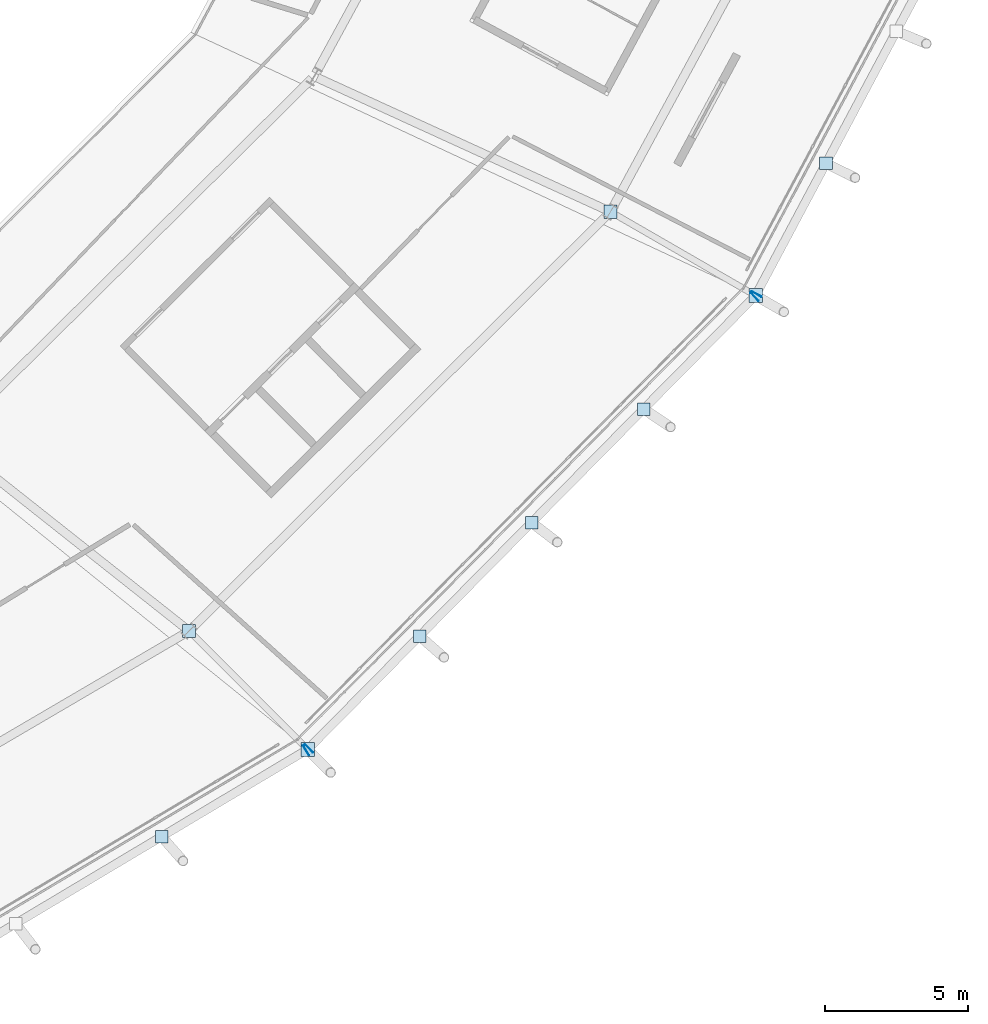
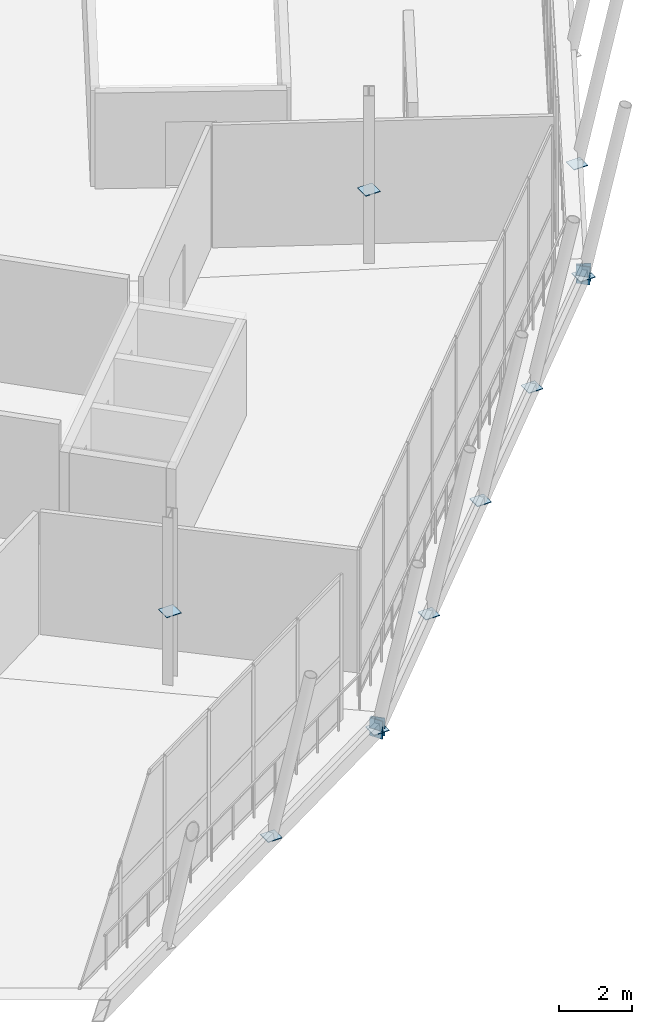
# One storey, part 71 of 99: 13 plates.
"""IFC4 building model written with IfcOpenShell, lengths in metres."""

import ifcopenshell
import ifcopenshell.guid

model = None  # the IFC model being written
_history = None  # IfcOwnerHistory: only IFC2X3 demands one
_inside = {}  # id of a spatial element -> (the spatial element, [elements in it])
_under = {}  # id of a project, library or spatial element -> (it, [spatial elements below it])
_declared = {}  # id of a project -> (the project, [libraries it declares])
_typed = {}  # id of a type object -> (the type object, [elements of that type])
_made_of = {}  # id of a material, layer set ... -> (it, [elements and type objects made of it])


def new_model(schema):
    """Start an empty IFC model of exactly this schema.

    Asked for "IFC4X3", IfcOpenShell would pick the latest addendum, in which some entities
    have other attributes; the version numbers below select the first issue.
    IFC2X3 requires an IfcOwnerHistory on every rooted entity: one is made here for all.
    """
    global model, _history
    if schema == "IFC4X3":
        model = ifcopenshell.file(schema_version=(4, 3, 0, 0))
    else:
        model = ifcopenshell.file(schema=schema)
    _inside.clear()
    _under.clear()
    _declared.clear()
    _typed.clear()
    _made_of.clear()
    _history = None
    if model.schema == "IFC2X3":
        org = make("IfcOrganization", Name="unknown")
        user = make(
            "IfcPersonAndOrganization",
            ThePerson=make("IfcPerson", FamilyName="unknown"),
            TheOrganization=org,
        )
        app = make(
            "IfcApplication",
            ApplicationDeveloper=org,
            Version="unknown",
            ApplicationFullName="unknown",
            ApplicationIdentifier="unknown",
        )
        _history = make(
            "IfcOwnerHistory",
            OwningUser=user,
            OwningApplication=app,
            ChangeAction="ADDED",
            CreationDate=0,
        )
    return model


def make(cls, **values):
    """One entity of the class cls with the attributes given. An attribute that is None is left unset."""
    return model.create_entity(
        cls, **{name: value for name, value in values.items() if value is not None}
    )


def rooted(cls, **values):
    """An entity with a GlobalId (a new one), such as an element, a storey or a relation."""
    return make(cls, GlobalId=ifcopenshell.guid.new(), OwnerHistory=_history, **values)


def si_unit(unit_type, name, prefix=None):
    """IfcSIUnit, for example si_unit("LENGTHUNIT", "METRE", prefix="MILLI")."""
    return make("IfcSIUnit", UnitType=unit_type, Prefix=prefix, Name=name)


def assignment(units):
    """IfcUnitAssignment: the units of a project."""
    return None if units is None else make("IfcUnitAssignment", Units=units)


def point(xyz):
    """IfcCartesianPoint."""
    return None if xyz is None else make("IfcCartesianPoint", Coordinates=xyz)


def direction(xyz):
    """IfcDirection."""
    return None if xyz is None else make("IfcDirection", DirectionRatios=xyz)


def frame(location, z_axis=None, x_axis=None):
    """IfcAxis2Placement3D, a coordinate frame: its origin and axes. An axis left out is left unset."""
    return make(
        "IfcAxis2Placement3D",
        Location=point(location),
        Axis=direction(z_axis),
        RefDirection=direction(x_axis),
    )


def frame_2d(location, x_axis=None):
    """IfcAxis2Placement2D, a coordinate frame in the plane: its origin and x axis."""
    return make(
        "IfcAxis2Placement2D", Location=point(location), RefDirection=direction(x_axis)
    )


def origin():
    """The frame at (0, 0, 0) with its axes left unset."""
    return frame((0.0, 0.0, 0.0))


def origin_2d():
    """The frame at (0, 0) in the plane with its x axis left unset."""
    return frame_2d((0.0, 0.0))


def place(relative_to, where):
    """IfcLocalPlacement: puts the frame where relative to a parent placement (None: the world)."""
    return make(
        "IfcLocalPlacement", PlacementRelTo=relative_to, RelativePlacement=where
    )


def context(
    kind, dimensions, precision=None, world=None, true_north=None, identifier=None
):
    """IfcGeometricRepresentationContext, for example the 3D "Model" context."""
    return make(
        "IfcGeometricRepresentationContext",
        ContextIdentifier=identifier,
        ContextType=kind,
        CoordinateSpaceDimension=dimensions,
        Precision=precision,
        WorldCoordinateSystem=world,
        TrueNorth=true_north,
    )


def subcontext(parent, identifier, kind, view, scale=None):
    """IfcGeometricRepresentationSubContext, for example "Body" below "Model"."""
    return make(
        "IfcGeometricRepresentationSubContext",
        ContextIdentifier=identifier,
        ContextType=kind,
        ParentContext=parent,
        TargetScale=scale,
        TargetView=view,
    )


def project(units=None, contexts=None):
    """IfcProject with its units and contexts."""
    return rooted(
        "IfcProject",
        Name="project",
        RepresentationContexts=contexts,
        UnitsInContext=assignment(units),
    )


def spatial(cls, under=None, at=None, **own):
    """A site, building, storey or space (cls), placed at a placement, below another one or the project."""
    s = rooted(cls, ObjectPlacement=at, **own)
    if under is not None:
        _under.setdefault(under.id(), (under, []))[1].append(s)
    return s


def profile(cls, at=None, kind="AREA", **sizes):
    """A parametric profile (cls). Its sizes go by their IFC names, for example OverallWidth=200.0."""
    return make(cls, ProfileType=kind, Position=at, **sizes)


def rectangle(**sizes):
    """IfcRectangleProfileDef."""
    return profile("IfcRectangleProfileDef", **sizes)


def extrude(swept, where, along, depth):
    """IfcExtrudedAreaSolid: the profile swept, set in the frame where, extruded along a direction by depth."""
    return make(
        "IfcExtrudedAreaSolid",
        SweptArea=swept,
        Position=where,
        ExtrudedDirection=direction(along),
        Depth=depth,
    )


def shape(context_of_items, identifier, shape_type, items):
    """IfcShapeRepresentation: the items that make up one representation, for example the "Body"."""
    return make(
        "IfcShapeRepresentation",
        ContextOfItems=context_of_items,
        RepresentationIdentifier=identifier,
        RepresentationType=shape_type,
        Items=items,
    )


def material(Name=None, Category=None):
    """IfcMaterial."""
    return make("IfcMaterial", Name=Name, Category=Category)


def layer(
    of_material, thickness, ventilated=None, Name=None, Category=None, Priority=None
):
    """IfcMaterialLayer: one layer of a wall or slab, of a material (None: an air gap)."""
    return make(
        "IfcMaterialLayer",
        Material=of_material,
        LayerThickness=thickness,
        IsVentilated=ventilated,
        Name=Name,
        Category=Category,
        Priority=Priority,
    )


def layer_set(layers, Name=None):
    """IfcMaterialLayerSet."""
    return make("IfcMaterialLayerSet", MaterialLayers=layers, LayerSetName=Name)


def made_of(thing, what):
    """Note that an element or type object is made of a material, layer set ...; save() writes the relation."""
    if what is not None:
        _made_of.setdefault(what.id(), (what, []))[1].append(thing)
    return thing


def type_object(cls, material=None, **own):
    """A type object (cls), such as IfcWallType, which elements share."""
    return made_of(rooted(cls, **own), material)


def element(
    cls,
    number,
    at=None,
    inside=None,
    cuts=None,
    type_object=None,
    material=None,
    context=None,
    identifier="Body",
    shape_type=None,
    held_by="IfcProductDefinitionShape",
    body=None,
    shapes=None,
    **own,
):
    """One element of the class cls, such as IfcWall. Its Tag is "e" and its number.

    at: its placement. inside: the storey or other place that contains it. cuts: it is an
    opening in that element (IfcRelVoidsElement). A single representation is given by context,
    identifier, shape_type and body (its items); several are given by shapes. held_by: the class
    of the entity that holds the representations. save() writes the other relations.
    """
    e = rooted(cls, Tag="e%d" % number, ObjectPlacement=at, **own)
    if body is not None:
        shapes = [shape(context, identifier, shape_type, body)]
    if shapes is not None:
        e.Representation = make(held_by, Representations=shapes)
    if inside is not None:
        _inside.setdefault(inside.id(), (inside, []))[1].append(e)
    if cuts is not None:
        rooted(
            "IfcRelVoidsElement", RelatingBuildingElement=cuts, RelatedOpeningElement=e
        )
    if type_object is not None:
        _typed.setdefault(type_object.id(), (type_object, []))[1].append(e)
    return made_of(e, material)


def aggregate(whole, parts):
    """IfcRelAggregates: a whole, such as a stair, and the parts it consists of."""
    return rooted("IfcRelAggregates", RelatingObject=whole, RelatedObjects=parts)


def save(model, path):
    """Write the relations noted so far, then the file.

    IfcRelAggregates (storeys below a building ...), IfcRelContainedInSpatialStructure (elements
    in a storey), IfcRelDefinesByType, IfcRelAssociatesMaterial and IfcRelDeclares: one each for
    every whole, place, type object, material and project.
    """
    for whole, parts in _under.values():
        aggregate(whole, parts)
    for where, things in _inside.values():
        rooted(
            "IfcRelContainedInSpatialStructure",
            RelatedElements=things,
            RelatingStructure=where,
        )
    for kind, things in _typed.values():
        rooted("IfcRelDefinesByType", RelatedObjects=things, RelatingType=kind)
    for what, things in _made_of.values():
        rooted("IfcRelAssociatesMaterial", RelatedObjects=things, RelatingMaterial=what)
    for by, libraries in _declared.values():
        rooted("IfcRelDeclares", RelatingContext=by, RelatedDefinitions=libraries)
    model.write(path)


model = new_model("IFC4")

# Units and contexts
model_context = context("Model", 3, precision=1e-05, world=origin(), true_north=direction((0.0, 1.0)))
body_context = subcontext(model_context, "Body", "Model", "MODEL_VIEW")
ifc_project = project(units=[si_unit("LENGTHUNIT", "METRE"), si_unit("AREAUNIT", "SQUARE_METRE"), si_unit("VOLUMEUNIT", "CUBIC_METRE"), si_unit("PLANEANGLEUNIT", "RADIAN"), si_unit("MASSUNIT", "GRAM", prefix="KILO")], contexts=[model_context])

# Site, building, storey
site_placement = place(None, origin())
site = spatial("IfcSite", under=ifc_project, at=site_placement, CompositionType="ELEMENT")
building_placement = place(site_placement, origin())
building = spatial("IfcBuilding", under=site, at=building_placement, Name="Zlatoyarsky Gate Stadium", CompositionType="ELEMENT")
storey_placement = place(building_placement, frame((0.0, 0.0, 26.199951171875)))
storey = spatial("IfcBuildingStorey", under=building, at=storey_placement, Name="L05", CompositionType="ELEMENT", Elevation=26.199951171875)

# Plates
ifc_material = material(Name="Steel S355", Category="steel")
ifc_layer = layer(ifc_material, 0.02392578125)
ifc_layer_set = layer_set([ifc_layer], Name="Steel S355")
plate_type = type_object("IfcPlateType", Name="STEEL HOLLOW CHORD SPLICE SHEET 24", PredefinedType="SHEET", material=ifc_layer_set)
for number, where, z_axis, x_axis, name in (
    (1, (180.865966796875, 25.6083984375, -0.81005859375), (0.0, 0.0, 1.0), (0.858777552781, 0.51234862627, 0.0), "Hollow end cap ND-SP1 CAP-L05-SPD-20 B"),
    (2, (180.95947265625, 25.681640625, -0.81005859375), (0.0, 0.0, 1.0), (0.70243343378, 0.711749444052, 0.0), "Hollow end cap ND-SP1 CAP-L05-SPD-21 A"),
    (3, (196.5888671875, 41.518310546875, -0.81005859375), (0.0, 0.0, 1.0), (0.70243343378, 0.711749444052, 0.0), "Hollow end cap ND-SP1 CAP-L05-SPD-21 B"),
):
    element("IfcPlate", number, at=place(storey_placement, frame(where, z_axis=z_axis, x_axis=x_axis)), inside=storey, type_object=plate_type, Name=name, PredefinedType="SHEET", context=body_context, shape_type="SweptSolid", body=[
        extrude(rectangle(XDim=0.02392578125, YDim=0.39990234375, at=origin_2d()), origin(), (0.0, 0.0, 1.0), 0.60009765625),
    ])
plate_1_placement = place(storey_placement, frame((180.91748046875, 25.638916015625, -0.572021484375), z_axis=(0.0, 0.0, 1.0), x_axis=(1.0, 0.0, 0.0)))
element("IfcPlate", 4, at=plate_1_placement, inside=storey, type_object=plate_type, Name="Node closure plate ND-SP1 NCAP-L05-RSTR-21", PredefinedType="SHEET", context=body_context, shape_type="SweptSolid", body=[
    extrude(rectangle(XDim=0.47998046875, YDim=0.47998046875, at=origin_2d()), origin(), (0.0, 0.0, 1.0), 0.02392578125),
])
plate_2_placement = place(storey_placement, frame((196.6591796875, 41.614013671875, -0.81005859375), z_axis=(0.0, 0.0, 1.0), x_axis=(0.470185980478, 0.882567359334, 0.0)))
element("IfcPlate", 5, at=plate_2_placement, inside=storey, type_object=plate_type, Name="Hollow end cap ND-SP1 CAP-L05-SPD-22 A", PredefinedType="SHEET", context=body_context, shape_type="SweptSolid", body=[
    extrude(rectangle(XDim=0.02392578125, YDim=0.39990234375, at=origin_2d()), origin(), (0.0, 0.0, 1.0), 0.60009765625),
])
plate_3_placement = place(storey_placement, frame((196.630859375, 41.560791015625, -0.572021484375), z_axis=(0.0, 0.0, 1.0), x_axis=(1.0, 0.0, 0.0)))
element("IfcPlate", 6, at=plate_3_placement, inside=storey, type_object=plate_type, Name="Node closure plate ND-SP1 NCAP-L05-RSTR-22", PredefinedType="SHEET", context=body_context, shape_type="SweptSolid", body=[
    extrude(rectangle(XDim=0.47998046875, YDim=0.47998046875, at=origin_2d()), origin(), (0.0, 0.0, 1.0), 0.02392578125),
])
for number, where, z_axis, x_axis, name in (
    (7, (175.7978515625, 22.584716796875, -0.52197265625), (0.0, 0.0, 1.0), (1.0, 0.0, 0.0), "Node closure plate ND-SP1 NCAP-RIB-20-3-3T"),
    (8, (184.845703125, 29.619384765625, -0.52197265625), (0.0, 0.0, 1.0), (1.0, 0.0, 0.0), "Node closure plate ND-SP1 NCAP-RIB-21-1-3T"),
    (9, (188.774169921875, 33.599853515625, -0.52197265625), (0.0, 0.0, 1.0), (1.0, 0.0, 0.0), "Node closure plate ND-SP1 NCAP-RIB-21-2-3T"),
    (10, (192.702392578125, 37.580322265625, -0.52197265625), (0.0, 0.0, 1.0), (1.0, 0.0, 0.0), "Node closure plate ND-SP1 NCAP-RIB-21-3-3T"),
):
    element("IfcPlate", number, at=place(storey_placement, frame(where, z_axis=z_axis, x_axis=x_axis)), inside=storey, type_object=plate_type, Name=name, PredefinedType="SHEET", context=body_context, shape_type="SweptSolid", body=[
        extrude(rectangle(XDim=0.43994140625, YDim=0.43994140625, at=origin_2d()), origin(), (0.0, 0.0, 1.0), 0.02392578125),
    ])
plate_4_placement = place(storey_placement, frame((176.760986328125, 29.79541015625, 2.2880859375), z_axis=(0.0, 0.0, 1.0), x_axis=(1.0, 0.0, 0.0)))
element("IfcPlate", 11, at=plate_4_placement, inside=storey, type_object=plate_type, Name="Node closure plate ND-SP1 NCAP-BPROP-21", PredefinedType="SHEET", context=body_context, shape_type="SweptSolid", body=[
    extrude(rectangle(XDim=0.4599609375, YDim=0.4599609375, at=origin_2d()), origin(), (0.0, 0.0, 1.0), 0.02392578125),
])
plate_5_placement = place(storey_placement, frame((199.100341796875, 46.1962890625, -0.52197265625), z_axis=(0.0, 0.0, 1.0), x_axis=(1.0, 0.0, 0.0)))
element("IfcPlate", 12, at=plate_5_placement, inside=storey, type_object=plate_type, Name="Node closure plate ND-SP1 NCAP-RIB-22-1-3T", PredefinedType="SHEET", context=body_context, shape_type="SweptSolid", body=[
    extrude(rectangle(XDim=0.43994140625, YDim=0.43994140625, at=origin_2d()), origin(), (0.0, 0.0, 1.0), 0.02392578125),
])
plate_6_placement = place(storey_placement, frame((191.540283203125, 44.5, 2.2880859375), z_axis=(0.0, 0.0, 1.0), x_axis=(1.0, 0.0, 0.0)))
element("IfcPlate", 13, at=plate_6_placement, inside=storey, type_object=plate_type, Name="Node closure plate ND-SP1 NCAP-BPROP-22", PredefinedType="SHEET", context=body_context, shape_type="SweptSolid", body=[
    extrude(rectangle(XDim=0.4599609375, YDim=0.4599609375, at=origin_2d()), origin(), (0.0, 0.0, 1.0), 0.02392578125),
])

save(model, "model.ifc")
